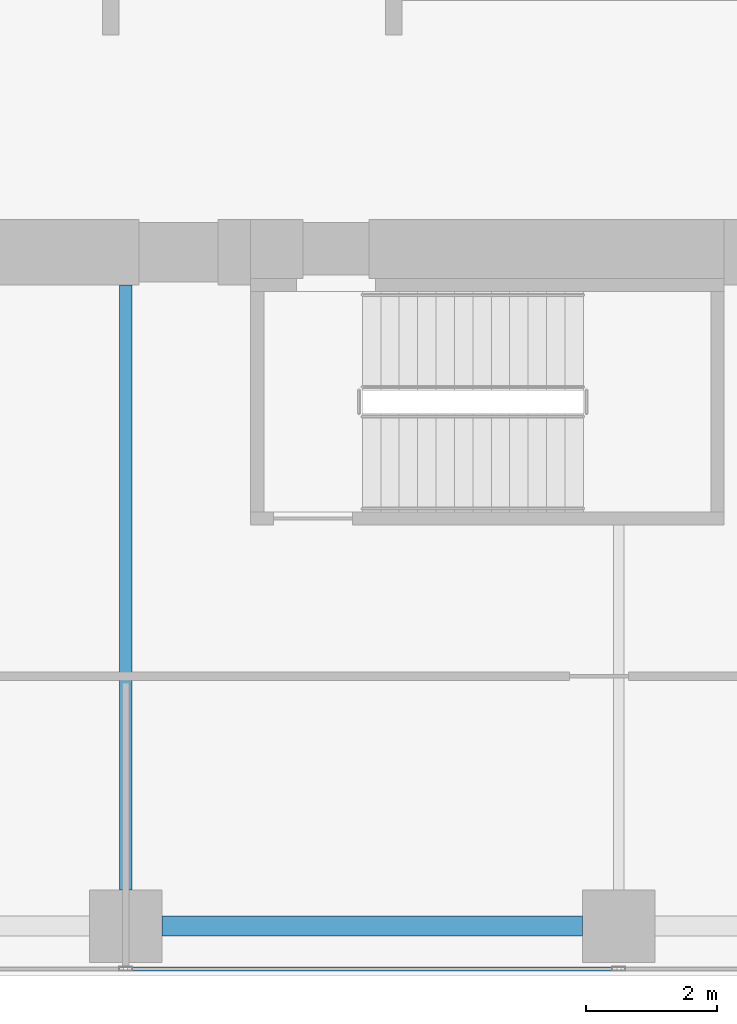
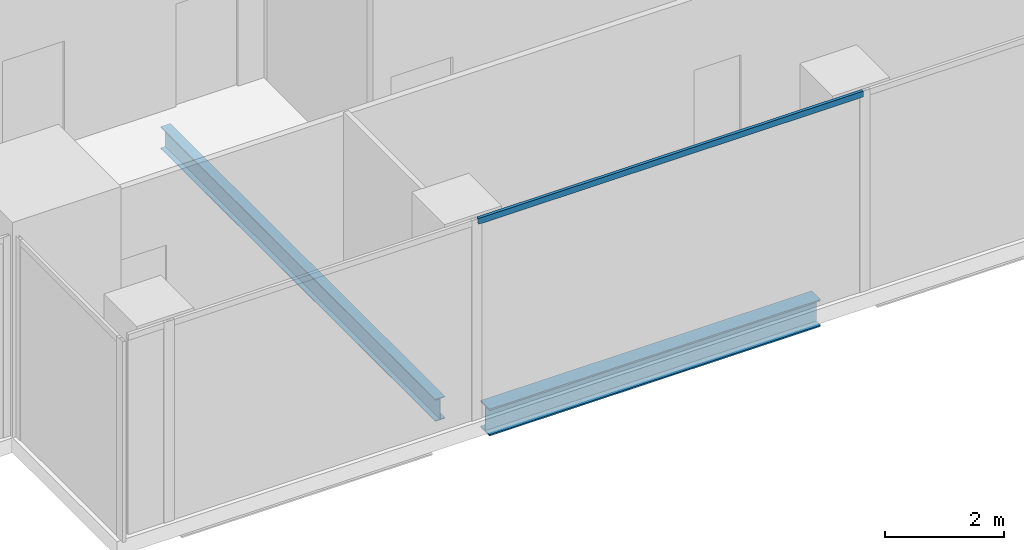
# One storey, part 3 of 33: 2 beams, 1 member, 1 element without a shape of its own.
"""IFC4 building model written with IfcOpenShell, lengths in metres."""

from ifc_helpers import new_model, si_unit, direction, frame, origin, origin_2d, place, context, subcontext, project, spatial, hollow_rectangle, i_section, extrude, source, transform, mapped, material, material_profile, profile_set, type_object, element, aggregate, save


model = new_model("IFC4")

# Units and contexts
model_context = context("Model", 3, precision=1e-05, world=origin(), true_north=direction((0.0, 1.0)))
body_context = subcontext(model_context, "Body", "Model", "MODEL_VIEW")
ifc_project = project(units=[si_unit("LENGTHUNIT", "METRE"), si_unit("AREAUNIT", "SQUARE_METRE"), si_unit("VOLUMEUNIT", "CUBIC_METRE"), si_unit("PLANEANGLEUNIT", "RADIAN"), si_unit("MASSUNIT", "GRAM", prefix="KILO")], contexts=[model_context])

# Site, building, storey
site_placement = place(None, origin())
site = spatial("IfcSite", under=ifc_project, at=site_placement, CompositionType="ELEMENT")
building_placement = place(site_placement, origin())
building = spatial("IfcBuilding", under=site, at=building_placement, Name="Khomas Fold Tower", CompositionType="ELEMENT")
storey_placement = place(building_placement, frame((0.0, 0.0, 149.89990234375)))
storey = spatial("IfcBuildingStorey", under=building, at=storey_placement, Name="L32", CompositionType="ELEMENT", Elevation=149.89990234375)

# Beams
ifc_material_1 = material(Name="Steel S355", Category="steel")
ifc_material_profile_1 = material_profile(ifc_material_1, i_section(OverallWidth=0.300048828125, OverallDepth=0.550048828125, WebThickness=0.014892578125, FlangeThickness=0.029052734375, at=origin_2d()), Name="HE 550 B")
ifc_profile_set_1 = profile_set([ifc_material_profile_1], Name="Steel S355")
beam_type_1 = type_object("IfcBeamType", Name="HE 550 B spandrel SB2", PredefinedType="SPANDREL", material=ifc_profile_set_1)
shared_shape_1 = source(origin(), body_context, "Body", "SweptSolid", [
    extrude(i_section(OverallWidth=0.300048828125, OverallDepth=0.550048828125, WebThickness=0.014892578125, FlangeThickness=0.029052734375, at=origin_2d()), origin(), (0.0, 0.0, 1.0), 6.39990234375),
])
beam_1_placement = place(storey_placement, frame((12.550048828125, 2.25, -0.574951171875), z_axis=(1.0, 0.0, 0.0), x_axis=(0.0, 1.0, 0.0)))
element("IfcBeam", 1, at=beam_1_placement, inside=storey, type_object=beam_type_1, Name="SB2", PredefinedType="SPANDREL", context=body_context, shape_type="MappedRepresentation", body=[
    mapped(shared_shape_1, transform((0.0, 0.0, 0.0))),
])
ifc_material_2 = material(Name="Steel S355", Category="steel")
ifc_material_profile_2 = material_profile(ifc_material_2, i_section(OverallWidth=0.18994140625, OverallDepth=0.449951171875, WebThickness=0.009521484375, FlangeThickness=0.0146484375, at=origin_2d()), Name="IPE 450")
ifc_profile_set_2 = profile_set([ifc_material_profile_2], Name="Steel S355")
beam_type_2 = type_object("IfcBeamType", Name="IPE 450 beam JB4", PredefinedType="BEAM", material=ifc_profile_set_2)
shared_shape_2 = source(origin(), body_context, "Body", "SweptSolid", [
    extrude(i_section(OverallWidth=0.18994140625, OverallDepth=0.449951171875, WebThickness=0.009521484375, FlangeThickness=0.0146484375, at=origin_2d()), origin(), (0.0, 0.0, 1.0), 9.199951171875),
])
beam_2_placement = place(storey_placement, frame((12.0, 2.800048828125, -0.52490234375), z_axis=(0.0, 1.0, 0.0), x_axis=(-1.0, 0.0, 0.0)))
element("IfcBeam", 2, at=beam_2_placement, inside=storey, type_object=beam_type_2, Name="JB4", PredefinedType="BEAM", context=body_context, shape_type="MappedRepresentation", body=[
    mapped(shared_shape_2, transform((0.0, 0.0, 0.0))),
])

# Curtain wall, member
ifc_material_3 = material(Name="Aluminium framed double glazing", Category="aluminium")
curtain_wall_type = type_object("IfcCurtainWallType", Name="SK-Unitised clear-glass wall, growing floors CW1", PredefinedType="NOTDEFINED", material=ifc_material_3)
curtain_wall_placement = place(storey_placement, origin())
curtain_wall = element("IfcCurtainWall", 3, at=curtain_wall_placement, inside=storey, type_object=curtain_wall_type, Name="CW1 run L32 00-0", PredefinedType="NOTDEFINED")
ifc_material_4 = material(Name="Aluminium", Category="aluminium")
ifc_material_profile_3 = material_profile(ifc_material_4, hollow_rectangle(XDim=0.06005859375, YDim=0.1201171875, WallThickness=0.00390625, at=origin_2d()), Name="SK-Unitised clear-glass wall, growing floors transom CW1-T")
ifc_profile_set_3 = profile_set([ifc_material_profile_3], Name="Aluminium")
member_type = type_object("IfcMemberType", Name="SK-Unitised clear-glass wall, growing floors transom CW1-T", PredefinedType="USERDEFINED", material=ifc_profile_set_3)
shared_shape_3 = source(origin(), body_context, "Body", "SweptSolid", [
    extrude(hollow_rectangle(XDim=0.06005859375, YDim=0.1201171875, WallThickness=0.00390625, at=origin_2d()), origin(), (0.0, 0.0, 1.0), 7.43994140625),
])
member_placement = place(storey_placement, frame((12.030029296875, 1.60009765625, 4.0400390625), z_axis=(1.0, 0.0, 0.0), x_axis=(0.0, 1.0, 0.0)))
member = element("IfcMember", 4, at=member_placement, type_object=member_type, Name="CW1 transom 3", ObjectType="TRANSOM", PredefinedType="USERDEFINED", context=body_context, shape_type="MappedRepresentation", body=[
    mapped(shared_shape_3, transform((0.0, 0.0, 0.0))),
])
aggregate(curtain_wall, [member])

save(model, "model.ifc")
